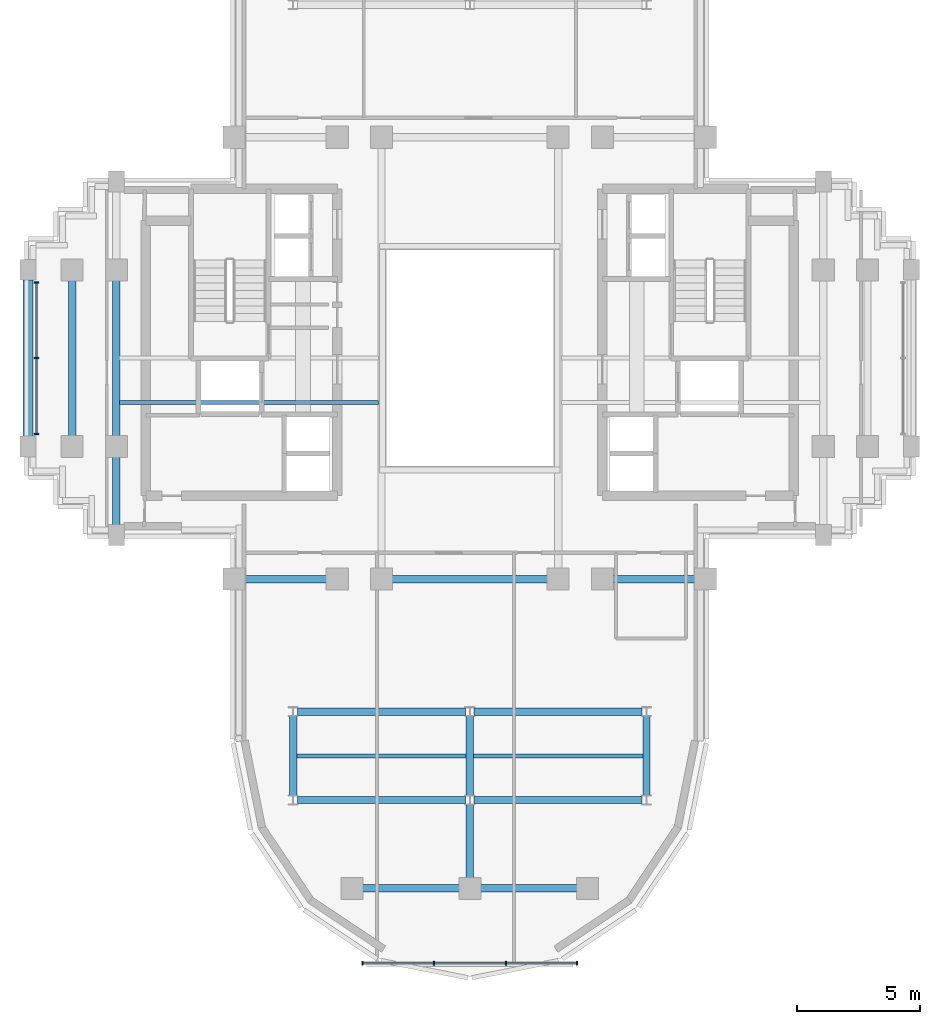
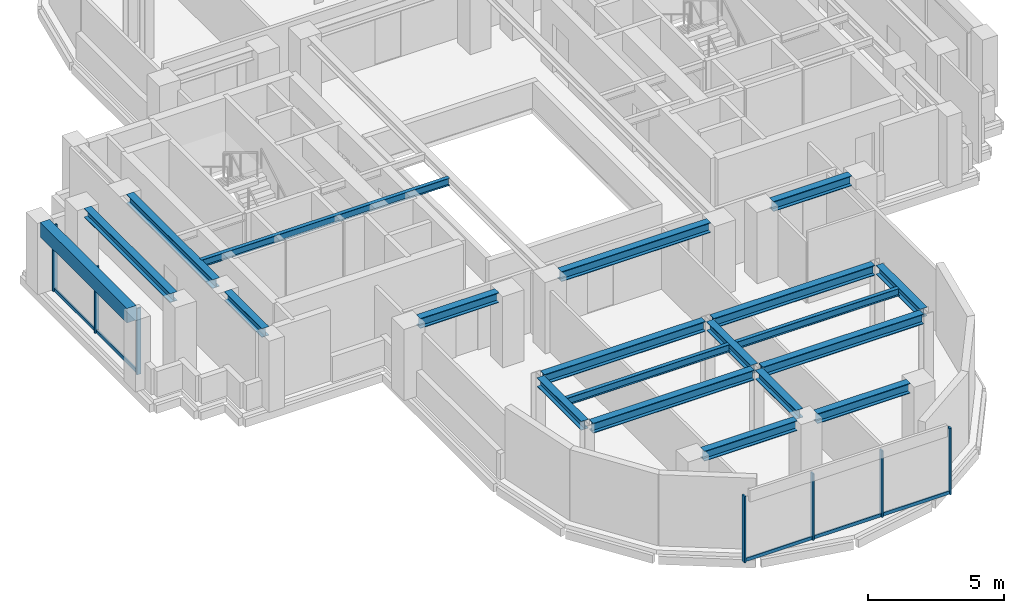
# One storey, part 2 of 11: 20 beams, 12 members, 2 elements without a shape of their own.
"""IFC4 building model written with IfcOpenShell, lengths in metres."""

from ifc_helpers import new_model, si_unit, direction, frame, origin, origin_2d, place, context, subcontext, project, spatial, rectangle, i_section, extrude, source, transform, mapped, material, material_profile, profile_set, type_object, element, aggregate, save


model = new_model("IFC4")

# Units and contexts
model_context = context("Model", 3, precision=1e-05, world=origin(), true_north=direction((0.0, 1.0)))
body_context = subcontext(model_context, "Body", "Model", "MODEL_VIEW")
ifc_project = project(units=[si_unit("LENGTHUNIT", "METRE"), si_unit("AREAUNIT", "SQUARE_METRE"), si_unit("VOLUMEUNIT", "CUBIC_METRE"), si_unit("PLANEANGLEUNIT", "RADIAN"), si_unit("MASSUNIT", "GRAM", prefix="KILO")], contexts=[model_context])

# Site, building, storey
site_placement = place(None, origin())
site = spatial("IfcSite", under=ifc_project, at=site_placement, CompositionType="ELEMENT")
building_placement = place(site_placement, origin())
building = spatial("IfcBuilding", under=site, at=building_placement, Name="Keilestroom Media Tower", CompositionType="ELEMENT")
storey_placement = place(building_placement, frame((0.0, 0.0, 180.800048828125)))
storey = spatial("IfcBuildingStorey", under=building, at=storey_placement, Name="L49", CompositionType="ELEMENT", Elevation=180.800048828125)

# Beams
ifc_material_1 = material(Name="Steel S355", Category="steel")
ifc_material_profile_1 = material_profile(ifc_material_1, i_section(OverallWidth=0.300048828125, OverallDepth=0.449951171875, WebThickness=0.011962890625, FlangeThickness=0.02587890625, at=origin_2d()), Name="HEB 450")
ifc_profile_set_1 = profile_set([ifc_material_profile_1], Name="Steel S355")
beam_type_1 = type_object("IfcBeamType", Name="Primary-Structural-Girder-HEB-450", PredefinedType="BEAM", material=ifc_profile_set_1)
shared_shape_1 = source(origin(), body_context, "Body", "SweptSolid", [
    extrude(i_section(OverallWidth=0.300048828125, OverallDepth=0.449951171875, WebThickness=0.011962890625, FlangeThickness=0.02587890625, at=origin_2d()), origin(), (0.0, 0.0, 1.0), 3.940185546875),
])
for number, where, z_axis, x_axis, name in (
    (1, (-4.3701171875, -21.60009765625, 2.974853515625), (1.0, 0.0, 0.0), (0.0, 1.0, 0.0), "L49 Beam BG-7 BM-L49-EW-001"),
    (2, (0.429931640625, -21.60009765625, 2.974853515625), (1.0, 0.0, 0.0), (0.0, 1.0, 0.0), "L49 Beam BG-7 BM-L49-EW-002"),
):
    element("IfcBeam", number, at=place(storey_placement, frame(where, z_axis=z_axis, x_axis=x_axis)), inside=storey, type_object=beam_type_1, Name=name, PredefinedType="BEAM", context=body_context, shape_type="MappedRepresentation", body=[
        mapped(shared_shape_1, transform((0.0, 0.0, 0.0), x_axis=(1.0, 0.0, 0.0), y_axis=(0.0, 1.0, 0.0), z_axis=(0.0, 0.0, 1.0), scale=1.0)),
    ])
shared_shape_2 = source(origin(), body_context, "Body", "SweptSolid", [
    extrude(i_section(OverallWidth=0.300048828125, OverallDepth=0.449951171875, WebThickness=0.011962890625, FlangeThickness=0.02587890625, at=origin_2d()), origin(), (0.0, 0.0, 1.0), 6.842041015625),
])
for number, where, z_axis, x_axis, name in (
    (3, (-7.02099609375, -18.0, 2.974853515625), (1.0, 0.0, 0.0), (0.0, 1.0, 0.0), "L49 Beam BG-7 BM-L49-EW-003"),
    (4, (0.178955078125, -18.0, 2.974853515625), (1.0, 0.0, 0.0), (0.0, 1.0, 0.0), "L49 Beam BG-7 BM-L49-EW-004"),
    (5, (-7.02099609375, -14.39990234375, 2.974853515625), (1.0, 0.0, 0.0), (0.0, 1.0, 0.0), "L49 Beam BG-7 BM-L49-EW-005"),
    (6, (0.178955078125, -14.39990234375, 2.974853515625), (1.0, 0.0, 0.0), (0.0, 1.0, 0.0), "L49 Beam BG-7 BM-L49-EW-006"),
):
    element("IfcBeam", number, at=place(storey_placement, frame(where, z_axis=z_axis, x_axis=x_axis)), inside=storey, type_object=beam_type_1, Name=name, PredefinedType="BEAM", context=body_context, shape_type="MappedRepresentation", body=[
        mapped(shared_shape_2, transform((0.0, 0.0, 0.0), x_axis=(1.0, 0.0, 0.0), y_axis=(0.0, 1.0, 0.0), z_axis=(0.0, 0.0, 1.0), scale=1.0)),
    ])
shared_shape_3 = source(origin(), body_context, "Body", "SweptSolid", [
    extrude(i_section(OverallWidth=0.300048828125, OverallDepth=0.449951171875, WebThickness=0.011962890625, FlangeThickness=0.02587890625, at=origin_2d()), origin(), (0.0, 0.0, 1.0), 3.33984375),
])
for number, where, z_axis, x_axis, name in (
    (7, (-9.169921875, -9.0, 2.974853515625), (1.0, 0.0, 0.0), (0.0, 1.0, 0.0), "L49 Beam BG-7 BM-L49-EW-007"),
    (8, (5.830078125, -9.0, 2.974853515625), (1.0, 0.0, 0.0), (0.0, 1.0, 0.0), "L49 Beam BG-7 BM-L49-EW-011"),
):
    element("IfcBeam", number, at=place(storey_placement, frame(where, z_axis=z_axis, x_axis=x_axis)), inside=storey, type_object=beam_type_1, Name=name, PredefinedType="BEAM", context=body_context, shape_type="MappedRepresentation", body=[
        mapped(shared_shape_3, transform((0.0, 0.0, 0.0), x_axis=(1.0, 0.0, 0.0), y_axis=(0.0, 1.0, 0.0), z_axis=(0.0, 0.0, 1.0), scale=1.0)),
    ])
shared_shape_4 = source(origin(), body_context, "Body", "SweptSolid", [
    extrude(i_section(OverallWidth=0.300048828125, OverallDepth=0.449951171875, WebThickness=0.011962890625, FlangeThickness=0.02587890625, at=origin_2d()), origin(), (0.0, 0.0, 1.0), 6.33984375),
])
beam_1_placement = place(storey_placement, frame((-3.169921875, -9.0, 2.974853515625), z_axis=(1.0, 0.0, 0.0), x_axis=(0.0, 1.0, 0.0)))
element("IfcBeam", 9, at=beam_1_placement, inside=storey, type_object=beam_type_1, Name="L49 Beam BG-7 BM-L49-EW-009", PredefinedType="BEAM", context=body_context, shape_type="MappedRepresentation", body=[
    mapped(shared_shape_4, transform((0.0, 0.0, 0.0), x_axis=(1.0, 0.0, 0.0), y_axis=(0.0, 1.0, 0.0), z_axis=(0.0, 0.0, 1.0), scale=1.0)),
])
ifc_material_2 = material(Name="Precast concrete C40/50", Category="concrete")
ifc_material_profile_2 = material_profile(ifc_material_2, rectangle(XDim=0.39990234375, YDim=0.64990234375, at=origin_2d()), Name="PC 400x650")
ifc_profile_set_2 = profile_set([ifc_material_profile_2], Name="Precast concrete C40/50")
beam_type_2 = type_object("IfcBeamType", Name="Perimeter-Spandrel-Beam-PC-400x650", PredefinedType="SPANDREL", material=ifc_profile_set_2)
shared_shape_5 = source(origin(), body_context, "Body", "SweptSolid", [
    extrude(rectangle(XDim=0.39990234375, YDim=0.64990234375, at=origin_2d()), origin(), (0.0, 0.0, 1.0), 6.39013671875),
])
beam_2_placement = place(storey_placement, frame((-18.0, -3.195068359375, 2.875), z_axis=(0.0, 1.0, 0.0), x_axis=(-1.0, 0.0, 0.0)))
element("IfcBeam", 10, at=beam_2_placement, inside=storey, type_object=beam_type_2, Name="L49 Beam SPB-2 BM-L49-NS-031", PredefinedType="SPANDREL", context=body_context, shape_type="MappedRepresentation", body=[
    mapped(shared_shape_5, transform((0.0, 0.0, 0.0), x_axis=(1.0, 0.0, 0.0), y_axis=(0.0, 1.0, 0.0), z_axis=(0.0, 0.0, 1.0), scale=1.0)),
])
ifc_material_profile_3 = material_profile(ifc_material_1, i_section(OverallWidth=0.300048828125, OverallDepth=0.39990234375, WebThickness=0.011474609375, FlangeThickness=0.02392578125, at=origin_2d()), Name="HEB 400")
ifc_profile_set_3 = profile_set([ifc_material_profile_3], Name="Steel S355")
beam_type_3 = type_object("IfcBeamType", Name="Primary-Structural-Girder-HEB-400", PredefinedType="BEAM", material=ifc_profile_set_3)
shared_shape_6 = source(origin(), body_context, "Body", "SweptSolid", [
    extrude(i_section(OverallWidth=0.300048828125, OverallDepth=0.39990234375, WebThickness=0.011474609375, FlangeThickness=0.02392578125, at=origin_2d()), origin(), (0.0, 0.0, 1.0), 6.33984375),
])
for number, where, z_axis, x_axis, name in (
    (11, (-16.199951171875, -3.169921875, 3.0), (0.0, 1.0, 0.0), (-1.0, 0.0, 0.0), "L49 Beam BG-8 BM-L49-NS-032"),
    (12, (-14.39990234375, -3.169921875, 3.0), (0.0, 1.0, 0.0), (-1.0, 0.0, 0.0), "L49 Beam BG-8 BM-L49-NS-034"),
):
    element("IfcBeam", number, at=place(storey_placement, frame(where, z_axis=z_axis, x_axis=x_axis)), inside=storey, type_object=beam_type_3, Name=name, PredefinedType="BEAM", context=body_context, shape_type="MappedRepresentation", body=[
        mapped(shared_shape_6, transform((0.0, 0.0, 0.0), x_axis=(1.0, 0.0, 0.0), y_axis=(0.0, 1.0, 0.0), z_axis=(0.0, 0.0, 1.0), scale=1.0)),
    ])
shared_shape_7 = source(origin(), body_context, "Body", "SweptSolid", [
    extrude(i_section(OverallWidth=0.300048828125, OverallDepth=0.39990234375, WebThickness=0.011474609375, FlangeThickness=0.02392578125, at=origin_2d()), origin(), (0.0, 0.0, 1.0), 2.764892578125),
])
beam_3_placement = place(storey_placement, frame((-14.39990234375, -6.794921875, 3.0), z_axis=(0.0, 1.0, 0.0), x_axis=(-1.0, 0.0, 0.0)))
element("IfcBeam", 13, at=beam_3_placement, inside=storey, type_object=beam_type_3, Name="L49 Beam BG-8 BM-L49-NS-033", PredefinedType="BEAM", context=body_context, shape_type="MappedRepresentation", body=[
    mapped(shared_shape_7, transform((0.0, 0.0, 0.0), x_axis=(1.0, 0.0, 0.0), y_axis=(0.0, 1.0, 0.0), z_axis=(0.0, 0.0, 1.0), scale=1.0)),
])
shared_shape_8 = source(origin(), body_context, "Body", "SweptSolid", [
    extrude(i_section(OverallWidth=0.300048828125, OverallDepth=0.39990234375, WebThickness=0.011474609375, FlangeThickness=0.02392578125, at=origin_2d()), origin(), (0.0, 0.0, 1.0), 3.2529296875),
])
for number, where, z_axis, x_axis, name in (
    (14, (-7.199951171875, -17.826416015625, 3.0), (0.0, 1.0, 0.0), (-1.0, 0.0, 0.0), "L49 Beam BG-8 BM-L49-NS-037"),
    (15, (0.0, -17.826416015625, 3.0), (0.0, 1.0, 0.0), (-1.0, 0.0, 0.0), "L49 Beam BG-8 BM-L49-NS-042"),
    (16, (7.199951171875, -17.826416015625, 3.0), (0.0, 1.0, 0.0), (-1.0, 0.0, 0.0), "L49 Beam BG-8 BM-L49-NS-047"),
):
    element("IfcBeam", number, at=place(storey_placement, frame(where, z_axis=z_axis, x_axis=x_axis)), inside=storey, type_object=beam_type_3, Name=name, PredefinedType="BEAM", context=body_context, shape_type="MappedRepresentation", body=[
        mapped(shared_shape_8, transform((0.0, 0.0, 0.0), x_axis=(1.0, 0.0, 0.0), y_axis=(0.0, 1.0, 0.0), z_axis=(0.0, 0.0, 1.0), scale=1.0)),
    ])
shared_shape_9 = source(origin(), body_context, "Body", "SweptSolid", [
    extrude(i_section(OverallWidth=0.300048828125, OverallDepth=0.39990234375, WebThickness=0.011474609375, FlangeThickness=0.02392578125, at=origin_2d()), origin(), (0.0, 0.0, 1.0), 2.996337890625),
])
beam_4_placement = place(storey_placement, frame((0.0, -21.169921875, 3.0), z_axis=(0.0, 1.0, 0.0), x_axis=(-1.0, 0.0, 0.0)))
element("IfcBeam", 17, at=beam_4_placement, inside=storey, type_object=beam_type_3, Name="L49 Beam BG-8 BM-L49-NS-041", PredefinedType="BEAM", context=body_context, shape_type="MappedRepresentation", body=[
    mapped(shared_shape_9, transform((0.0, 0.0, 0.0), x_axis=(1.0, 0.0, 0.0), y_axis=(0.0, 1.0, 0.0), z_axis=(0.0, 0.0, 1.0), scale=1.0)),
])
ifc_material_profile_4 = material_profile(ifc_material_1, i_section(OverallWidth=0.159912109375, OverallDepth=0.330078125, WebThickness=0.007568359375, FlangeThickness=0.011474609375, at=origin_2d()), Name="IPE 330")
ifc_profile_set_4 = profile_set([ifc_material_profile_4], Name="Steel S355")
beam_type_4 = type_object("IfcBeamType", Name="Secondary-Floor-Joist-IPE-330", PredefinedType="JOIST", material=ifc_profile_set_4)
shared_shape_10 = source(origin(), body_context, "Body", "SweptSolid", [
    extrude(i_section(OverallWidth=0.159912109375, OverallDepth=0.330078125, WebThickness=0.007568359375, FlangeThickness=0.011474609375, at=origin_2d()), origin(), (0.0, 0.0, 1.0), 6.940185546875),
])
for number, where, z_axis, x_axis, name in (
    (18, (-7.070068359375, -16.199951171875, 3.034912109375), (1.0, 0.0, 0.0), (0.0, 1.0, 0.0), "L49 Beam BJ-6 JST-L49-055"),
    (19, (0.1298828125, -16.199951171875, 3.034912109375), (1.0, 0.0, 0.0), (0.0, 1.0, 0.0), "L49 Beam BJ-6 JST-L49-056"),
):
    element("IfcBeam", number, at=place(storey_placement, frame(where, z_axis=z_axis, x_axis=x_axis)), inside=storey, type_object=beam_type_4, Name=name, PredefinedType="JOIST", context=body_context, shape_type="MappedRepresentation", body=[
        mapped(shared_shape_10, transform((0.0, 0.0, 0.0), x_axis=(1.0, 0.0, 0.0), y_axis=(0.0, 1.0, 0.0), z_axis=(0.0, 0.0, 1.0), scale=1.0)),
    ])
shared_shape_11 = source(origin(), body_context, "Body", "SweptSolid", [
    extrude(i_section(OverallWidth=0.159912109375, OverallDepth=0.330078125, WebThickness=0.007568359375, FlangeThickness=0.011474609375, at=origin_2d()), origin(), (0.0, 0.0, 1.0), 10.5400390625),
])
beam_5_placement = place(storey_placement, frame((-14.27001953125, -1.800048828125, 3.034912109375), z_axis=(1.0, 0.0, 0.0), x_axis=(0.0, 1.0, 0.0)))
element("IfcBeam", 20, at=beam_5_placement, inside=storey, type_object=beam_type_4, Name="L49 Beam BJ-6 JST-L49-057", PredefinedType="JOIST", context=body_context, shape_type="MappedRepresentation", body=[
    mapped(shared_shape_11, transform((0.0, 0.0, 0.0), x_axis=(1.0, 0.0, 0.0), y_axis=(0.0, 1.0, 0.0), z_axis=(0.0, 0.0, 1.0), scale=1.0)),
])

# Curtain wall, members
ifc_material_3 = material(Name="Anodised Aluminium Alloy", Category="aluminium")
curtain_wall_type_1 = type_object("IfcCurtainWallType", Name="Unitised-Curtain-Wall-CW-6", PredefinedType="NOTDEFINED", material=ifc_material_3)
curtain_wall_1_placement = place(storey_placement, origin())
curtain_wall_1 = element("IfcCurtainWall", 21, at=curtain_wall_1_placement, inside=storey, type_object=curtain_wall_type_1, Name="L49 Curtain Wall CW-6 CW-L49-LS-1", PredefinedType="NOTDEFINED")
ifc_material_profile_5 = material_profile(ifc_material_3, rectangle(XDim=0.06494140625, YDim=0.179931640625, at=origin_2d()), Name="ALU MULLION 65x180")
ifc_profile_set_5 = profile_set([ifc_material_profile_5], Name="Anodised Aluminium Alloy")
member_type_1 = type_object("IfcMemberType", Name="Curtain-Wall-Mullion-CW-6", PredefinedType="MULLION", material=ifc_profile_set_5)
shared_shape_12 = source(origin(), body_context, "Body", "SweptSolid", [
    extrude(rectangle(XDim=0.06494140625, YDim=0.179931640625, at=origin_2d()), origin(), (0.0, 0.0, 1.0), 2.97998046875),
])
member_1_placement = place(storey_placement, frame((-4.367431640625, -24.64990234375, 0.0), z_axis=(0.0, 0.0, 1.0), x_axis=(1.0, 0.0, 0.0)))
member_1 = element("IfcMember", 22, at=member_1_placement, type_object=member_type_1, Name="CW-6 Mullion 00", PredefinedType="MULLION", context=body_context, shape_type="MappedRepresentation", body=[
    mapped(shared_shape_12, transform((0.0, 0.0, 0.0), x_axis=(1.0, 0.0, 0.0), y_axis=(0.0, 1.0, 0.0), z_axis=(0.0, 0.0, 1.0), scale=1.0)),
])
member_2_placement = place(storey_placement, frame((-1.466796875, -24.64990234375, 0.0), z_axis=(0.0, 0.0, 1.0), x_axis=(1.0, 0.0, 0.0)))
member_2 = element("IfcMember", 23, at=member_2_placement, type_object=member_type_1, Name="CW-6 Mullion 01", PredefinedType="MULLION", context=body_context, shape_type="MappedRepresentation", body=[
    mapped(shared_shape_12, transform((0.0, 0.0, 0.0), x_axis=(1.0, 0.0, 0.0), y_axis=(0.0, 1.0, 0.0), z_axis=(0.0, 0.0, 1.0), scale=1.0)),
])
member_3_placement = place(storey_placement, frame((1.466796875, -24.64990234375, 0.0), z_axis=(0.0, 0.0, 1.0), x_axis=(1.0, 0.0, 0.0)))
member_3 = element("IfcMember", 24, at=member_3_placement, type_object=member_type_1, Name="CW-6 Mullion 02", PredefinedType="MULLION", context=body_context, shape_type="MappedRepresentation", body=[
    mapped(shared_shape_12, transform((0.0, 0.0, 0.0), x_axis=(1.0, 0.0, 0.0), y_axis=(0.0, 1.0, 0.0), z_axis=(0.0, 0.0, 1.0), scale=1.0)),
])
member_4_placement = place(storey_placement, frame((4.367431640625, -24.64990234375, 0.0), z_axis=(0.0, 0.0, 1.0), x_axis=(1.0, 0.0, 0.0)))
member_4 = element("IfcMember", 25, at=member_4_placement, type_object=member_type_1, Name="CW-6 Mullion 03", PredefinedType="MULLION", context=body_context, shape_type="MappedRepresentation", body=[
    mapped(shared_shape_12, transform((0.0, 0.0, 0.0), x_axis=(1.0, 0.0, 0.0), y_axis=(0.0, 1.0, 0.0), z_axis=(0.0, 0.0, 1.0), scale=1.0)),
])
ifc_material_profile_6 = material_profile(ifc_material_3, rectangle(XDim=0.06494140625, YDim=0.14990234375, at=origin_2d()), Name="ALU TRANSOM 65x150")
ifc_profile_set_6 = profile_set([ifc_material_profile_6], Name="Anodised Aluminium Alloy")
member_type_2 = type_object("IfcMemberType", Name="Curtain-Wall-Transom-CW-6", PredefinedType="USERDEFINED", material=ifc_profile_set_6)
shared_shape_13 = source(origin(), body_context, "Body", "SweptSolid", [
    extrude(rectangle(XDim=0.06494140625, YDim=0.14990234375, at=origin_2d()), origin(), (0.0, 0.0, 1.0), 2.839599609375),
])
member_5_placement = place(storey_placement, frame((-4.3369140625, -24.64990234375, 0.074951171875), z_axis=(1.0, 0.0, 0.0), x_axis=(0.0, 1.0, 0.0)))
member_5 = element("IfcMember", 26, at=member_5_placement, type_object=member_type_2, Name="CW-6 Transom 00.1", ObjectType="TRANSOM", PredefinedType="USERDEFINED", context=body_context, shape_type="MappedRepresentation", body=[
    mapped(shared_shape_13, transform((0.0, 0.0, 0.0), x_axis=(1.0, 0.0, 0.0), y_axis=(0.0, 1.0, 0.0), z_axis=(0.0, 0.0, 1.0), scale=1.0)),
])
member_6_placement = place(storey_placement, frame((1.497314453125, -24.64990234375, 0.074951171875), z_axis=(1.0, 0.0, 0.0), x_axis=(0.0, 1.0, 0.0)))
member_6 = element("IfcMember", 27, at=member_6_placement, type_object=member_type_2, Name="CW-6 Transom 02.1", ObjectType="TRANSOM", PredefinedType="USERDEFINED", context=body_context, shape_type="MappedRepresentation", body=[
    mapped(shared_shape_13, transform((0.0, 0.0, 0.0), x_axis=(1.0, 0.0, 0.0), y_axis=(0.0, 1.0, 0.0), z_axis=(0.0, 0.0, 1.0), scale=1.0)),
])
shared_shape_14 = source(origin(), body_context, "Body", "SweptSolid", [
    extrude(rectangle(XDim=0.06494140625, YDim=0.14990234375, at=origin_2d()), origin(), (0.0, 0.0, 1.0), 2.87255859375),
])
member_7_placement = place(storey_placement, frame((-1.436279296875, -24.64990234375, 0.074951171875), z_axis=(1.0, 0.0, 0.0), x_axis=(0.0, 1.0, 0.0)))
member_7 = element("IfcMember", 28, at=member_7_placement, type_object=member_type_2, Name="CW-6 Transom 01.1", ObjectType="TRANSOM", PredefinedType="USERDEFINED", context=body_context, shape_type="MappedRepresentation", body=[
    mapped(shared_shape_14, transform((0.0, 0.0, 0.0), x_axis=(1.0, 0.0, 0.0), y_axis=(0.0, 1.0, 0.0), z_axis=(0.0, 0.0, 1.0), scale=1.0)),
])
aggregate(curtain_wall_1, [member_1, member_2, member_3, member_4, member_5, member_7, member_6])

curtain_wall_type_2 = type_object("IfcCurtainWallType", Name="Unitised-Curtain-Wall-CW-3", PredefinedType="NOTDEFINED", material=ifc_material_3)
curtain_wall_2_placement = place(storey_placement, origin())
curtain_wall_2 = element("IfcCurtainWall", 29, at=curtain_wall_2_placement, inside=storey, type_object=curtain_wall_type_2, Name="L49 Curtain Wall CW-3 CW-L49-W-1", PredefinedType="NOTDEFINED")
ifc_material_profile_7 = material_profile(ifc_material_3, rectangle(XDim=0.06494140625, YDim=0.179931640625, at=origin_2d()), Name="ALU MULLION 65x180")
ifc_profile_set_7 = profile_set([ifc_material_profile_7], Name="Anodised Aluminium Alloy")
member_type_3 = type_object("IfcMemberType", Name="Curtain-Wall-Mullion-CW-3", PredefinedType="MULLION", material=ifc_profile_set_7)
shared_shape_15 = source(origin(), body_context, "Body", "SweptSolid", [
    extrude(rectangle(XDim=0.06494140625, YDim=0.179931640625, at=origin_2d()), origin(), (0.0, 0.0, 1.0), 2.97998046875),
])
member_8_placement = place(storey_placement, frame((-17.64990234375, -3.08251953125, 0.0), z_axis=(0.0, 0.0, 1.0), x_axis=(0.0, 1.0, 0.0)))
member_8 = element("IfcMember", 30, at=member_8_placement, type_object=member_type_3, Name="CW-3 Mullion 00", PredefinedType="MULLION", context=body_context, shape_type="MappedRepresentation", body=[
    mapped(shared_shape_15, transform((0.0, 0.0, 0.0), x_axis=(1.0, 0.0, 0.0), y_axis=(0.0, 1.0, 0.0), z_axis=(0.0, 0.0, 1.0), scale=1.0)),
])
member_9_placement = place(storey_placement, frame((-17.64990234375, 0.0, 0.0), z_axis=(0.0, 0.0, 1.0), x_axis=(0.0, 1.0, 0.0)))
member_9 = element("IfcMember", 31, at=member_9_placement, type_object=member_type_3, Name="CW-3 Mullion 01", PredefinedType="MULLION", context=body_context, shape_type="MappedRepresentation", body=[
    mapped(shared_shape_15, transform((0.0, 0.0, 0.0), x_axis=(1.0, 0.0, 0.0), y_axis=(0.0, 1.0, 0.0), z_axis=(0.0, 0.0, 1.0), scale=1.0)),
])
member_10_placement = place(storey_placement, frame((-17.64990234375, 3.08251953125, 0.0), z_axis=(0.0, 0.0, 1.0), x_axis=(0.0, 1.0, 0.0)))
member_10 = element("IfcMember", 32, at=member_10_placement, type_object=member_type_3, Name="CW-3 Mullion 02", PredefinedType="MULLION", context=body_context, shape_type="MappedRepresentation", body=[
    mapped(shared_shape_15, transform((0.0, 0.0, 0.0), x_axis=(1.0, 0.0, 0.0), y_axis=(0.0, 1.0, 0.0), z_axis=(0.0, 0.0, 1.0), scale=1.0)),
])
ifc_material_profile_8 = material_profile(ifc_material_3, rectangle(XDim=0.06494140625, YDim=0.14990234375, at=origin_2d()), Name="ALU TRANSOM 65x150")
ifc_profile_set_8 = profile_set([ifc_material_profile_8], Name="Anodised Aluminium Alloy")
member_type_4 = type_object("IfcMemberType", Name="Curtain-Wall-Transom-CW-3", PredefinedType="USERDEFINED", material=ifc_profile_set_8)
shared_shape_16 = source(origin(), body_context, "Body", "SweptSolid", [
    extrude(rectangle(XDim=0.06494140625, YDim=0.14990234375, at=origin_2d()), origin(), (0.0, 0.0, 1.0), 3.021484375),
])
member_11_placement = place(storey_placement, frame((-17.64990234375, -3.052001953125, 0.074951171875), z_axis=(0.0, 1.0, 0.0), x_axis=(-1.0, 0.0, 0.0)))
member_11 = element("IfcMember", 33, at=member_11_placement, type_object=member_type_4, Name="CW-3 Transom 00.1", ObjectType="TRANSOM", PredefinedType="USERDEFINED", context=body_context, shape_type="MappedRepresentation", body=[
    mapped(shared_shape_16, transform((0.0, 0.0, 0.0), x_axis=(1.0, 0.0, 0.0), y_axis=(0.0, 1.0, 0.0), z_axis=(0.0, 0.0, 1.0), scale=1.0)),
])
member_12_placement = place(storey_placement, frame((-17.64990234375, 0.030517578125, 0.074951171875), z_axis=(0.0, 1.0, 0.0), x_axis=(-1.0, 0.0, 0.0)))
member_12 = element("IfcMember", 34, at=member_12_placement, type_object=member_type_4, Name="CW-3 Transom 01.1", ObjectType="TRANSOM", PredefinedType="USERDEFINED", context=body_context, shape_type="MappedRepresentation", body=[
    mapped(shared_shape_16, transform((0.0, 0.0, 0.0), x_axis=(1.0, 0.0, 0.0), y_axis=(0.0, 1.0, 0.0), z_axis=(0.0, 0.0, 1.0), scale=1.0)),
])
aggregate(curtain_wall_2, [member_8, member_9, member_10, member_11, member_12])

save(model, "model.ifc")
